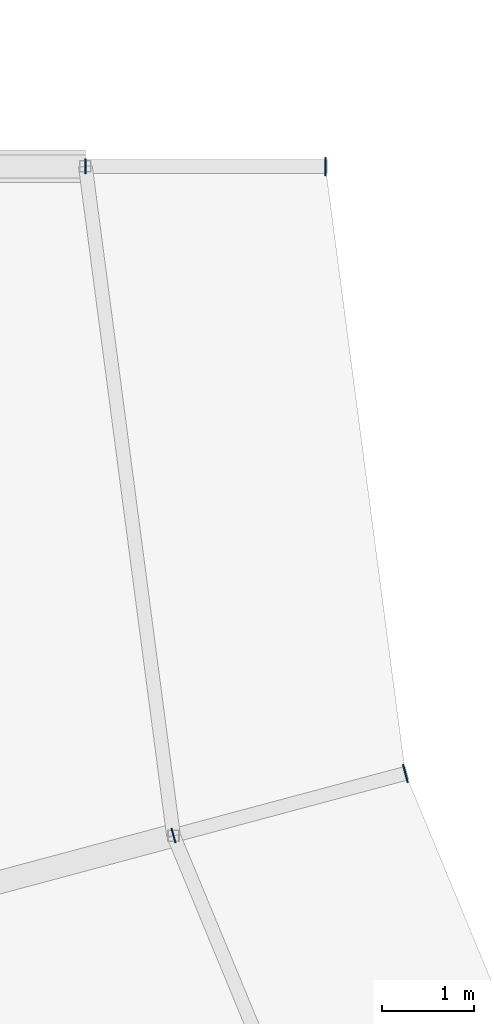
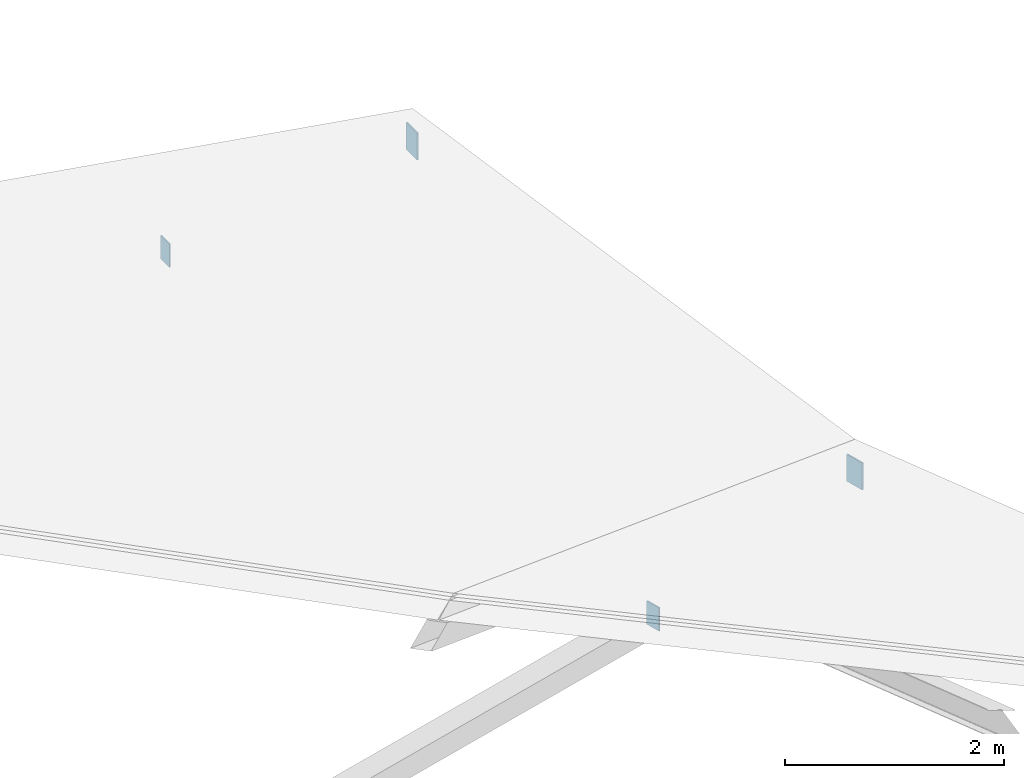
# One storey, part 43 of 70: 4 plates.
"""IFC4 building model written with IfcOpenShell, lengths in metres."""

from ifc_helpers import new_model, si_unit, direction, frame, origin, origin_2d, place, context, subcontext, project, spatial, rectangle, extrude, material, layer, layer_set, type_object, element, save


model = new_model("IFC4")

# Units and contexts
model_context = context("Model", 3, precision=1e-05, world=origin(), true_north=direction((0.0, 1.0)))
body_context = subcontext(model_context, "Body", "Model", "MODEL_VIEW")
ifc_project = project(units=[si_unit("LENGTHUNIT", "METRE"), si_unit("AREAUNIT", "SQUARE_METRE"), si_unit("VOLUMEUNIT", "CUBIC_METRE"), si_unit("PLANEANGLEUNIT", "RADIAN"), si_unit("MASSUNIT", "GRAM", prefix="KILO")], contexts=[model_context])

# Site, building, storey
site_placement = place(None, origin())
site = spatial("IfcSite", under=ifc_project, at=site_placement, CompositionType="ELEMENT")
building_placement = place(site_placement, origin())
building = spatial("IfcBuilding", under=site, at=building_placement, Name="Vondelvale Polytechnic", CompositionType="ELEMENT")
storey_placement = place(building_placement, frame((0.0, 0.0, 22.199951171875)))
storey = spatial("IfcBuildingStorey", under=building, at=storey_placement, Name="L05", CompositionType="ELEMENT", Elevation=22.199951171875)

# Plates
ifc_material = material(Name="Steel Grade 350 (fy = 340 MPa)", Category="steel")
ifc_layer_1 = layer(ifc_material, 0.01611328125)
ifc_layer_set_1 = layer_set([ifc_layer_1], Name="PLATE-CAP-300x200")
plate_type_1 = type_object("IfcPlateType", Name="PLATE-CAP-300x200", PredefinedType="USERDEFINED", material=ifc_layer_set_1)
for number, where, z_axis, x_axis, name in (
    (1, (76.60009765625, 72.0, -0.18408203125), (0.0, 0.0, 1.0), (1.0, 0.0, 0.0), "Ring rafter hollow end cap plate 12I"),
    (2, (77.465576171875, 65.426025390625, -0.18408203125), (0.0, 0.0, 1.0), (0.965925826289, 0.258819045103, 0.0), "Ring rafter hollow end cap plate 13I"),
):
    element("IfcPlate", number, at=place(storey_placement, frame(where, z_axis=z_axis, x_axis=x_axis)), inside=storey, type_object=plate_type_1, Name=name, ObjectType="CAP_PLATE", PredefinedType="USERDEFINED", context=body_context, shape_type="SweptSolid", body=[
        extrude(rectangle(XDim=0.01611328125, YDim=0.199951171875, at=origin_2d()), origin(), (0.0, 0.0, 1.0), 0.300048828125),
    ])
ifc_layer_2 = layer(ifc_material, 0.013916015625)
ifc_layer_set_2 = layer_set([ifc_layer_2], Name="PLATE-CAP-C03")
plate_type_2 = type_object("IfcPlateType", Name="PLATE-CAP-C03", PredefinedType="USERDEFINED", material=ifc_layer_set_2)
for number, where, z_axis, x_axis, name in (
    (3, (74.0, 72.0, -0.47998046875), (0.0, 0.0, 1.0), (1.0, 0.0, 0.0), "Ring workshop truss chord end cap 12I"),
    (4, (74.9541015625, 64.753173828125, -0.47998046875), (0.0, 0.0, 1.0), (0.965925826289, 0.258819045103, 0.0), "Ring workshop truss chord end cap 13I"),
):
    element("IfcPlate", number, at=place(storey_placement, frame(where, z_axis=z_axis, x_axis=x_axis)), inside=storey, type_object=plate_type_2, Name=name, ObjectType="CAP_PLATE", PredefinedType="USERDEFINED", context=body_context, shape_type="SweptSolid", body=[
        extrude(rectangle(XDim=0.013916015625, YDim=0.159912109375, at=origin_2d()), origin(), (0.0, 0.0, 1.0), 0.260009765625),
    ])

save(model, "model.ifc")
